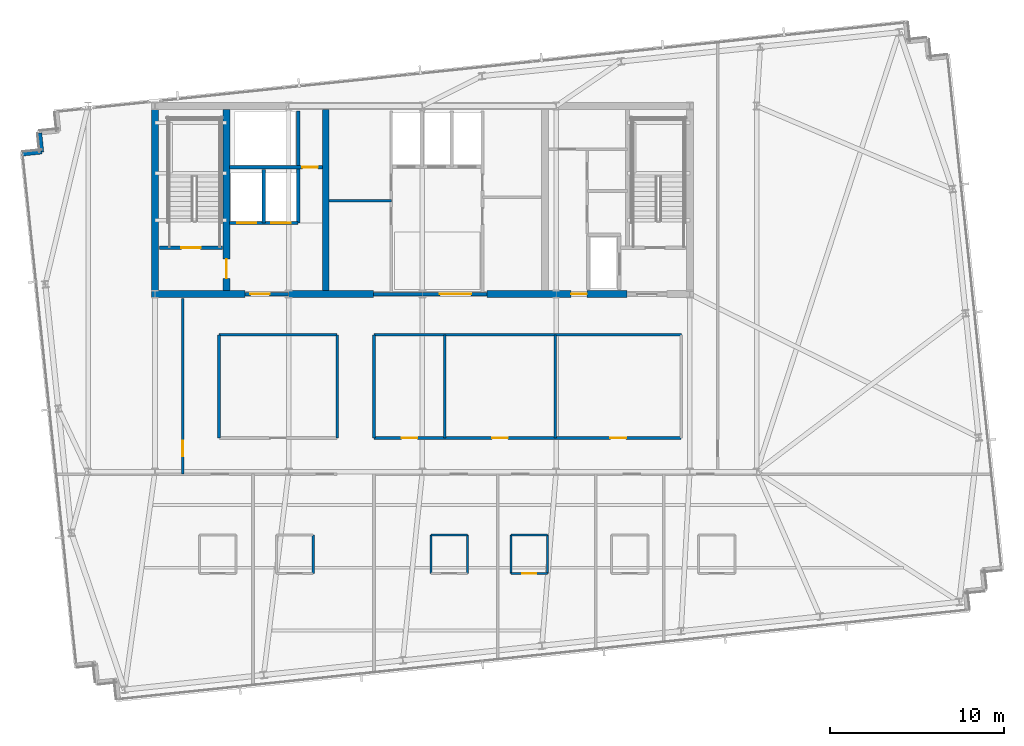
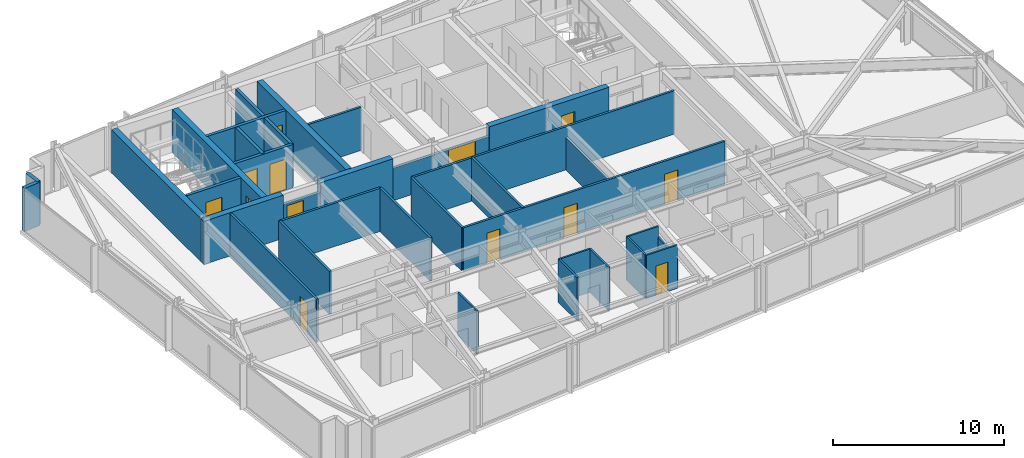
# One storey, part 27 of 33: 33 walls, 13 doors, 13 openings.
"""IFC4 building model written with IfcOpenShell, lengths in metres."""

from ifc_helpers import new_model, si_unit, direction, frame, frame_2d, origin, place, context, subcontext, project, spatial, rectangle, extrude, material, layer, layer_set, type_object, element, fill, save


model = new_model("IFC4")

# Units and contexts
model_context = context("Model", 3, precision=1e-05, world=origin(), true_north=direction((0.0, 1.0)))
body_context = subcontext(model_context, "Body", "Model", "MODEL_VIEW")
ifc_project = project(units=[si_unit("LENGTHUNIT", "METRE"), si_unit("AREAUNIT", "SQUARE_METRE"), si_unit("VOLUMEUNIT", "CUBIC_METRE"), si_unit("PLANEANGLEUNIT", "RADIAN"), si_unit("MASSUNIT", "GRAM", prefix="KILO")], contexts=[model_context])

# Site, building, storey
site_placement = place(None, origin())
site = spatial("IfcSite", under=ifc_project, at=site_placement, CompositionType="ELEMENT")
building_placement = place(site_placement, origin())
building = spatial("IfcBuilding", under=site, at=building_placement, Name="Yelkora Congress Tower", CompositionType="ELEMENT")
storey_placement = place(building_placement, frame((0.0, 0.0, 237.5)))
storey = spatial("IfcBuildingStorey", under=building, at=storey_placement, Name="L66", CompositionType="ELEMENT", Elevation=237.5)

# Walls
ifc_material_1 = material(Name="Concrete C50/60", Category="concrete")
ifc_layer_1 = layer(ifc_material_1, 0.39990234375)
ifc_layer_set_1 = layer_set([ifc_layer_1], Name="Concrete C50/60")
wall_type_1 = type_object("IfcWallType", Name="WALL-CORE-INT-400", PredefinedType="SHEAR", material=ifc_layer_set_1)
wall_1_placement = place(storey_placement, frame((22.840087890625, 35.39990234375, 0.0), z_axis=(0.0, 0.0, 1.0), x_axis=(1.0, 0.0, 0.0)))
element("IfcWall", 1, at=wall_1_placement, inside=storey, type_object=wall_type_1, Name="L66 Rear Core South-West Shear Wall", PredefinedType="SHEAR", context=body_context, shape_type="SweptSolid", body=[
    extrude(rectangle(XDim=5.35986328125, YDim=0.39990234375, at=frame_2d((2.679931640625, 0.0))), origin(), (0.0, 0.0, 1.0), 3.080078125),
])
wall_2_placement = place(storey_placement, frame((30.719970703125, 35.39990234375, 0.0), z_axis=(0.0, 0.0, 1.0), x_axis=(1.0, 0.0, 0.0)))
element("IfcWall", 2, at=wall_2_placement, inside=storey, type_object=wall_type_1, Name="L66 Rear Core South-Center Shear Pier", PredefinedType="SHEAR", context=body_context, shape_type="SweptSolid", body=[
    extrude(rectangle(XDim=4.880126953125, YDim=0.39990234375, at=frame_2d((2.43994140625, 0.0))), origin(), (0.0, 0.0, 1.0), 3.080078125),
])

# Wall, opening, door
wall_3_placement = place(storey_placement, frame((42.10009765625, 35.39990234375, 0.0), z_axis=(0.0, 0.0, 1.0), x_axis=(1.0, 0.0, 0.0)))
wall_3 = element("IfcWall", 3, at=wall_3_placement, inside=storey, type_object=wall_type_1, Name="L66 Rear Core South-East Shear Wall A", PredefinedType="SHEAR", context=body_context, shape_type="SweptSolid", body=[
    extrude(rectangle(XDim=8.0498046875, YDim=0.39990234375, at=frame_2d((4.02490234375, 0.0))), origin(), (0.0, 0.0, 1.0), 3.080078125),
])
opening_1_placement = place(wall_3_placement, frame((4.85009765625, 0.0, 0.0)))
opening_1 = element("IfcOpeningElement", 4, at=opening_1_placement, cuts=wall_3, Name="Opening DR-090F6", PredefinedType="OPENING", context=body_context, shape_type="SweptSolid", body=[
    extrude(rectangle(XDim=0.89990234375, YDim=2.14990234375, at=frame_2d((0.449951171875, 1.074951171875))), frame((0.0, 0.2099609375, 0.0), z_axis=(0.0, -1.0, 0.0), x_axis=(1.0, 0.0, 0.0)), (0.0, 0.0, 1.0), 0.419921875),
])
ifc_material_2 = material(Name="Painted steel riser fire door leaf", Category="steel")
door_type_1 = type_object("IfcDoorType", Name="DOOR-FD60-900", OperationType="NOTDEFINED", PredefinedType="DOOR", material=ifc_material_2)
door_1_placement = place(opening_1_placement, origin())
door_1 = element("IfcDoor", 5, at=door_1_placement, inside=storey, type_object=door_type_1, Name="L66 Core Washroom Lobby Door", OperationType="SINGLE_SWING_RIGHT", OverallHeight=2.14990234375, OverallWidth=0.89990234375, PredefinedType="DOOR", context=body_context, shape_type="SweptSolid", body=[
    extrude(rectangle(XDim=0.89990234375, YDim=2.14990234375, at=frame_2d((0.449951171875, 1.074951171875))), frame((0.0, 0.02490234375, 0.0), z_axis=(0.0, -1.0, 0.0), x_axis=(1.0, 0.0, 0.0)), (0.0, 0.0, 1.0), 0.050048828125),
])
fill(opening_1, door_1)

# Wall
wall_4_placement = place(storey_placement, frame((23.0400390625, 35.60009765625, 0.0), z_axis=(0.0, 0.0, 1.0), x_axis=(0.0, 1.0, 0.0)))
element("IfcWall", 6, at=wall_4_placement, inside=storey, type_object=wall_type_1, Name="L66 Rear Core Cross Shear Wall W", PredefinedType="SHEAR", context=body_context, shape_type="SweptSolid", body=[
    extrude(rectangle(XDim=10.39990234375, YDim=0.39990234375, at=frame_2d((5.199951171875, 0.0))), origin(), (0.0, 0.0, 1.0), 3.080078125),
])

# Wall, opening, door
wall_5_placement = place(storey_placement, frame((27.14990234375, 35.60009765625, 0.0), z_axis=(0.0, 0.0, 1.0), x_axis=(0.0, 1.0, 0.0)))
wall_5 = element("IfcWall", 7, at=wall_5_placement, inside=storey, type_object=wall_type_1, Name="L66 Rear Core Cross Shear Wall C1", PredefinedType="SHEAR", context=body_context, shape_type="SweptSolid", body=[
    extrude(rectangle(XDim=10.39990234375, YDim=0.39990234375, at=frame_2d((5.199951171875, 0.0))), origin(), (0.0, 0.0, 1.0), 3.080078125),
])
opening_2_placement = place(wall_5_placement, frame((0.699951171875, 0.0, 0.0)))
opening_2 = element("IfcOpeningElement", 8, at=opening_2_placement, cuts=wall_5, Name="Opening DR-110F9", PredefinedType="OPENING", context=body_context, shape_type="SweptSolid", body=[
    extrude(rectangle(XDim=1.10009765625, YDim=2.14990234375, at=frame_2d((0.550048828125, 1.074951171875))), frame((0.0, 0.2099609375, 0.0), z_axis=(0.0, -1.0, 0.0), x_axis=(1.0, 0.0, 0.0)), (0.0, 0.0, 1.0), 0.419921875),
])
ifc_material_3 = material(Name="Galvanised steel fire door leaf", Category="steel")
door_type_2 = type_object("IfcDoorType", Name="DOOR-FD90-1100", OperationType="NOTDEFINED", PredefinedType="DOOR", material=ifc_material_3)
door_2_placement = place(opening_2_placement, origin())
door_2 = element("IfcDoor", 9, at=door_2_placement, inside=storey, type_object=door_type_2, Name="L66 Firefighting Stair Transfer Door", OperationType="SINGLE_SWING_LEFT", OverallHeight=2.14990234375, OverallWidth=1.10009765625, PredefinedType="DOOR", context=body_context, shape_type="SweptSolid", body=[
    extrude(rectangle(XDim=1.10009765625, YDim=2.14990234375, at=frame_2d((0.550048828125, 1.074951171875))), frame((0.0, 0.02490234375, 0.0), z_axis=(0.0, -1.0, 0.0), x_axis=(1.0, 0.0, 0.0)), (0.0, 0.0, 1.0), 0.050048828125),
])
fill(opening_2, door_2)

# Walls
wall_6_placement = place(storey_placement, frame((32.85009765625, 35.60009765625, 0.0), z_axis=(0.0, 0.0, 1.0), x_axis=(0.0, 1.0, 0.0)))
element("IfcWall", 10, at=wall_6_placement, inside=storey, type_object=wall_type_1, Name="L66 Rear Core Cross Shear Wall C2", PredefinedType="SHEAR", context=body_context, shape_type="SweptSolid", body=[
    extrude(rectangle(XDim=10.39990234375, YDim=0.39990234375, at=frame_2d((5.199951171875, 0.0))), origin(), (0.0, 0.0, 1.0), 3.080078125),
])
ifc_material_4 = material(Name="Concrete C40/50", Category="concrete")
ifc_layer_2 = layer(ifc_material_4, 0.239990234375)
ifc_layer_set_2 = layer_set([ifc_layer_2], Name="Concrete C40/50")
wall_type_2 = type_object("IfcWallType", Name="WALL-EXT-LIMESTONE-240", PredefinedType="SOLIDWALL", material=ifc_layer_set_2)
wall_7_placement = place(storey_placement, frame((15.441162109375, 43.444580078125, 0.0), z_axis=(0.0, 0.0, 1.0), x_axis=(0.994495717747, 0.104777227405, 0.0)))
element("IfcWall", 11, at=wall_7_placement, inside=storey, type_object=wall_type_2, Name="L66 Serrated Corner Limestone Pier 6", PredefinedType="SOLIDWALL", context=body_context, shape_type="SweptSolid", body=[
    extrude(rectangle(XDim=1.099853515625, YDim=0.239990234375, at=frame_2d((0.5498046875, 0.0))), origin(), (0.0, 0.0, 1.0), 3.080078125),
])
wall_8_placement = place(storey_placement, frame((16.534912109375, 43.559814453125, 0.0), z_axis=(0.0, 0.0, 1.0), x_axis=(-0.104315068386, 0.994544300928, 0.0)))
element("IfcWall", 12, at=wall_8_placement, inside=storey, type_object=wall_type_2, Name="L66 Serrated Corner Limestone Pier 7", PredefinedType="SOLIDWALL", context=body_context, shape_type="SweptSolid", body=[
    extrude(rectangle(XDim=1.10009765625, YDim=0.239990234375, at=frame_2d((0.550048828125, 0.0))), origin(), (0.0, 0.0, 1.0), 3.080078125),
])
ifc_material_5 = material(Name="Moisture-resistant gypsum partition", Category="gypsum")
ifc_layer_3 = layer(ifc_material_5, 0.1201171875)
ifc_layer_set_3 = layer_set([ifc_layer_3], Name="Moisture-resistant gypsum partition")
wall_type_3 = type_object("IfcWallType", Name="WALL-INT-120-NR", PredefinedType="PARTITIONING", material=ifc_layer_set_3)
wall_9_placement = place(storey_placement, frame((32.1298828125, 19.35009765625, 0.0), z_axis=(0.0, 0.0, 1.0), x_axis=(0.0, 1.0, 0.0)))
element("IfcWall", 13, at=wall_9_placement, inside=storey, type_object=wall_type_3, Name="L66 Partition Wall 29", PredefinedType="PARTITIONING", context=body_context, shape_type="SweptSolid", body=[
    extrude(rectangle(XDim=2.199951171875, YDim=0.1201171875, at=frame_2d((1.10009765625, 0.0))), origin(), (0.0, 0.0, 1.0), 3.080078125),
])
wall_10_placement = place(storey_placement, frame((38.89990234375, 21.550048828125, 0.0), z_axis=(0.0, 0.0, 1.0), x_axis=(1.0, 0.0, 0.0)))
element("IfcWall", 14, at=wall_10_placement, inside=storey, type_object=wall_type_3, Name="L66 Partition Wall 32", PredefinedType="PARTITIONING", context=body_context, shape_type="SweptSolid", body=[
    extrude(rectangle(XDim=2.10009765625, YDim=0.1201171875, at=frame_2d((1.050048828125, 0.0))), origin(), (0.0, 0.0, 1.0), 3.080078125),
])
for number, where, z_axis, x_axis, name in (
    (15, (38.89990234375, 19.35009765625, 0.0), (0.0, 0.0, 1.0), (0.0, 1.0, 0.0), "L66 Partition Wall 33"),
    (16, (41.0, 19.35009765625, 0.0), (0.0, 0.0, 1.0), (0.0, 1.0, 0.0), "L66 Partition Wall 34"),
):
    element("IfcWall", number, at=place(storey_placement, frame(where, z_axis=z_axis, x_axis=x_axis)), inside=storey, type_object=wall_type_3, Name=name, PredefinedType="PARTITIONING", context=body_context, shape_type="SweptSolid", body=[
        extrude(rectangle(XDim=2.199951171875, YDim=0.1201171875, at=frame_2d((1.10009765625, 0.0))), origin(), (0.0, 0.0, 1.0), 3.080078125),
    ])
wall_11_placement = place(storey_placement, frame((43.47998046875, 21.550048828125, 0.0), z_axis=(0.0, 0.0, 1.0), x_axis=(1.0, 0.0, 0.0)))
element("IfcWall", 17, at=wall_11_placement, inside=storey, type_object=wall_type_3, Name="L66 Partition Wall 37", PredefinedType="PARTITIONING", context=body_context, shape_type="SweptSolid", body=[
    extrude(rectangle(XDim=2.10009765625, YDim=0.1201171875, at=frame_2d((1.050048828125, 0.0))), origin(), (0.0, 0.0, 1.0), 3.080078125),
])
wall_12_placement = place(storey_placement, frame((43.47998046875, 19.35009765625, 0.0), z_axis=(0.0, 0.0, 1.0), x_axis=(0.0, 1.0, 0.0)))
element("IfcWall", 18, at=wall_12_placement, inside=storey, type_object=wall_type_3, Name="L66 Partition Wall 38", PredefinedType="PARTITIONING", context=body_context, shape_type="SweptSolid", body=[
    extrude(rectangle(XDim=2.199951171875, YDim=0.1201171875, at=frame_2d((1.10009765625, 0.0))), origin(), (0.0, 0.0, 1.0), 3.080078125),
])
wall_13_placement = place(storey_placement, frame((45.580078125, 19.35009765625, 0.0), z_axis=(0.0, 0.0, 1.0), x_axis=(0.0, 1.0, 0.0)))
element("IfcWall", 19, at=wall_13_placement, inside=storey, type_object=wall_type_3, Name="L66 Partition Wall 39", PredefinedType="PARTITIONING", context=body_context, shape_type="SweptSolid", body=[
    extrude(rectangle(XDim=2.199951171875, YDim=0.1201171875, at=frame_2d((1.10009765625, 0.0))), origin(), (0.0, 0.0, 1.0), 2.31298828125),
])

# Wall, opening, door
wall_14_placement = place(storey_placement, frame((43.47998046875, 19.35009765625, 0.0), z_axis=(0.0, 0.0, 1.0), x_axis=(1.0, 0.0, 0.0)))
wall_14 = element("IfcWall", 20, at=wall_14_placement, inside=storey, type_object=wall_type_3, Name="L66 Partition Wall 40", PredefinedType="PARTITIONING", context=body_context, shape_type="SweptSolid", body=[
    extrude(rectangle(XDim=2.10009765625, YDim=0.1201171875, at=frame_2d((1.050048828125, 0.0))), origin(), (0.0, 0.0, 1.0), 3.080078125),
])
opening_3_placement = place(wall_14_placement, frame((0.64990234375, 0.0, 0.0)))
opening_3 = element("IfcOpeningElement", 21, at=opening_3_placement, cuts=wall_14, Name="Opening DR-080B", PredefinedType="OPENING", context=body_context, shape_type="SweptSolid", body=[
    extrude(rectangle(XDim=0.800048828125, YDim=2.10009765625, at=frame_2d((0.39990234375, 1.050048828125))), frame((0.0, 0.070068359375, 0.0), z_axis=(0.0, -1.0, 0.0), x_axis=(1.0, 0.0, 0.0)), (0.0, 0.0, 1.0), 0.14013671875),
])
ifc_material_6 = material(Name="Moisture-sealed en-suite timber door", Category="wood")
door_type_3 = type_object("IfcDoorType", Name="DOOR-BATH-800", OperationType="NOTDEFINED", PredefinedType="DOOR", material=ifc_material_6)
door_3_placement = place(opening_3_placement, origin())
door_3 = element("IfcDoor", 22, at=door_3_placement, inside=storey, type_object=door_type_3, Name="L66 En-suite Door 5", OperationType="SINGLE_SWING_LEFT", OverallHeight=2.10009765625, OverallWidth=0.800048828125, PredefinedType="DOOR", context=body_context, shape_type="SweptSolid", body=[
    extrude(rectangle(XDim=0.800048828125, YDim=2.10009765625, at=frame_2d((0.39990234375, 1.050048828125))), frame((0.0, 0.02490234375, 0.0), z_axis=(0.0, -1.0, 0.0), x_axis=(1.0, 0.0, 0.0)), (0.0, 0.0, 1.0), 0.050048828125),
])
fill(opening_3, door_3)

ifc_material_7 = material(Name="Acoustic metal-stud gypsum partition", Category="gypsum")
ifc_layer_4 = layer(ifc_material_7, 0.14990234375)
ifc_layer_set_4 = layer_set([ifc_layer_4], Name="Acoustic metal-stud gypsum partition")
wall_type_4 = type_object("IfcWallType", Name="WALL-INT-150-NR", PredefinedType="PARTITIONING", material=ifc_layer_set_4)
wall_15_placement = place(storey_placement, frame((24.639892578125, 25.050048828125, 0.0), z_axis=(0.0, 0.0, 1.0), x_axis=(0.0, 1.0, 0.0)))
wall_15 = element("IfcWall", 23, at=wall_15_placement, inside=storey, type_object=wall_type_4, Name="L66 Partition Wall 54", PredefinedType="PARTITIONING", context=body_context, shape_type="SweptSolid", body=[
    extrude(rectangle(XDim=10.08984375, YDim=0.14990234375, at=frame_2d((5.044921875, 0.0))), origin(), (0.0, 0.0, 1.0), 3.080078125),
])
opening_4_placement = place(wall_15_placement, frame((1.030029296875, 0.0, 0.0)))
opening_4 = element("IfcOpeningElement", 24, at=opening_4_placement, cuts=wall_15, Name="Opening DR-090N", PredefinedType="OPENING", context=body_context, shape_type="SweptSolid", body=[
    extrude(rectangle(XDim=0.89990234375, YDim=2.14990234375, at=frame_2d((0.449951171875, 1.074951171875))), frame((0.0, 0.0849609375, 0.0), z_axis=(0.0, -1.0, 0.0), x_axis=(1.0, 0.0, 0.0)), (0.0, 0.0, 1.0), 0.169921875),
])
ifc_material_8 = material(Name="Moisture-resistant laminate door leaf", Category="wood")
door_type_4 = type_object("IfcDoorType", Name="DOOR-INT-900", OperationType="NOTDEFINED", PredefinedType="DOOR", material=ifc_material_8)
door_4_placement = place(opening_4_placement, origin())
door_4 = element("IfcDoor", 25, at=door_4_placement, inside=storey, type_object=door_type_4, Name="L66 W Wing Door", OperationType="SINGLE_SWING_RIGHT", OverallHeight=2.14990234375, OverallWidth=0.89990234375, PredefinedType="DOOR", context=body_context, shape_type="SweptSolid", body=[
    extrude(rectangle(XDim=0.89990234375, YDim=2.14990234375, at=frame_2d((0.449951171875, 1.074951171875))), frame((0.0, 0.02490234375, 0.0), z_axis=(0.0, -1.0, 0.0), x_axis=(1.0, 0.0, 0.0)), (0.0, 0.0, 1.0), 0.050048828125),
])
fill(opening_4, door_4)

# Walls
for number, where, z_axis, x_axis, name in (
    (26, (26.719970703125, 27.1298828125, 0.0), (0.0, 0.0, 1.0), (0.0, 1.0, 0.0), "L66 Partition Wall 56"),
    (27, (33.5, 27.1298828125, 0.0), (0.0, 0.0, 1.0), (0.0, 1.0, 0.0), "L66 Partition Wall 58"),
    (28, (35.6201171875, 27.1298828125, 0.0), (0.0, 0.0, 1.0), (0.0, 1.0, 0.0), "L66 Partition Wall 59"),
):
    element("IfcWall", number, at=place(storey_placement, frame(where, z_axis=z_axis, x_axis=x_axis)), inside=storey, type_object=wall_type_4, Name=name, PredefinedType="PARTITIONING", context=body_context, shape_type="SweptSolid", body=[
        extrude(rectangle(XDim=5.920166015625, YDim=0.14990234375, at=frame_2d((2.9599609375, 0.0))), origin(), (0.0, 0.0, 1.0), 3.080078125),
    ])
wall_16_placement = place(storey_placement, frame((26.719970703125, 33.050048828125, 0.0), z_axis=(0.0, 0.0, 1.0), x_axis=(1.0, 0.0, 0.0)))
element("IfcWall", 29, at=wall_16_placement, inside=storey, type_object=wall_type_4, Name="L66 Partition Wall 60", PredefinedType="PARTITIONING", context=body_context, shape_type="SweptSolid", body=[
    extrude(rectangle(XDim=6.780029296875, YDim=0.14990234375, at=frame_2d((3.39013671875, 0.0))), origin(), (0.0, 0.0, 1.0), 3.080078125),
])
wall_17_placement = place(storey_placement, frame((35.6201171875, 33.050048828125, 0.0), z_axis=(0.0, 0.0, 1.0), x_axis=(1.0, 0.0, 0.0)))
element("IfcWall", 30, at=wall_17_placement, inside=storey, type_object=wall_type_4, Name="L66 Partition Wall 61", PredefinedType="PARTITIONING", context=body_context, shape_type="SweptSolid", body=[
    extrude(rectangle(XDim=17.659912109375, YDim=0.14990234375, at=frame_2d((8.830078125, 0.0))), origin(), (0.0, 0.0, 1.0), 3.080078125),
])
wall_18_placement = place(storey_placement, frame((39.68505859375, 27.1298828125, 0.0), z_axis=(0.0, 0.0, 1.0), x_axis=(0.0, 1.0, 0.0)))
element("IfcWall", 31, at=wall_18_placement, inside=storey, type_object=wall_type_4, Name="L66 Partition Wall 63", PredefinedType="PARTITIONING", context=body_context, shape_type="SweptSolid", body=[
    extrude(rectangle(XDim=5.920166015625, YDim=0.14990234375, at=frame_2d((2.9599609375, 0.0))), origin(), (0.0, 0.0, 1.0), 3.080078125),
])
wall_19_placement = place(storey_placement, frame((46.031982421875, 27.1298828125, 0.0), z_axis=(0.0, 0.0, 1.0), x_axis=(0.0, 1.0, 0.0)))
element("IfcWall", 32, at=wall_19_placement, inside=storey, type_object=wall_type_4, Name="L66 Partition Wall 64", PredefinedType="PARTITIONING", context=body_context, shape_type="SweptSolid", body=[
    extrude(rectangle(XDim=5.920166015625, YDim=0.14990234375, at=frame_2d((2.9599609375, 0.0))), origin(), (0.0, 0.0, 1.0), 2.31298828125),
])

# Wall, openings, doors
wall_20_placement = place(storey_placement, frame((35.6298828125, 27.1298828125, 0.0), z_axis=(0.0, 0.0, 1.0), x_axis=(1.0, 0.0, 0.0)))
wall_20 = element("IfcWall", 33, at=wall_20_placement, inside=storey, type_object=wall_type_4, Name="L66 Partition Wall 65", PredefinedType="PARTITIONING", context=body_context, shape_type="SweptSolid", body=[
    extrude(rectangle(XDim=17.630126953125, YDim=0.14990234375, at=frame_2d((8.81494140625, 0.0))), origin(), (0.0, 0.0, 1.0), 3.080078125),
])
opening_5_placement = place(wall_20_placement, frame((1.577392578125, 0.0, 0.0)))
opening_5 = element("IfcOpeningElement", 34, at=opening_5_placement, cuts=wall_20, Name="Opening DR-090N", PredefinedType="OPENING", context=body_context, shape_type="SweptSolid", body=[
    extrude(rectangle(XDim=0.89990234375, YDim=2.14990234375, at=frame_2d((0.449951171875, 1.074951171875))), frame((0.0, 0.0849609375, 0.0), z_axis=(0.0, -1.0, 0.0), x_axis=(1.0, 0.0, 0.0)), (0.0, 0.0, 1.0), 0.169921875),
])
opening_6_placement = place(wall_20_placement, frame((6.778564453125, 0.0, 0.0)))
opening_6 = element("IfcOpeningElement", 35, at=opening_6_placement, cuts=wall_20, Name="Opening DR-090N", PredefinedType="OPENING", context=body_context, shape_type="SweptSolid", body=[
    extrude(rectangle(XDim=0.89990234375, YDim=2.14990234375, at=frame_2d((0.449951171875, 1.074951171875))), frame((0.0, 0.0849609375, 0.0), z_axis=(0.0, -1.0, 0.0), x_axis=(1.0, 0.0, 0.0)), (0.0, 0.0, 1.0), 0.169921875),
])
opening_7_placement = place(wall_20_placement, frame((13.56591796875, 0.0, 0.0)))
opening_7 = element("IfcOpeningElement", 36, at=opening_7_placement, cuts=wall_20, Name="Opening DR-090N", PredefinedType="OPENING", context=body_context, shape_type="SweptSolid", body=[
    extrude(rectangle(XDim=0.89990234375, YDim=2.14990234375, at=frame_2d((0.449951171875, 1.074951171875))), frame((0.0, 0.0849609375, 0.0), z_axis=(0.0, -1.0, 0.0), x_axis=(1.0, 0.0, 0.0)), (0.0, 0.0, 1.0), 0.169921875),
])
door_5_placement = place(opening_5_placement, origin())
door_5 = element("IfcDoor", 37, at=door_5_placement, inside=storey, type_object=door_type_4, Name="L66 Executive Study Office Door", OperationType="SINGLE_SWING_LEFT", OverallHeight=2.14990234375, OverallWidth=0.89990234375, PredefinedType="DOOR", context=body_context, shape_type="SweptSolid", body=[
    extrude(rectangle(XDim=0.89990234375, YDim=2.14990234375, at=frame_2d((0.449951171875, 1.074951171875))), frame((0.0, 0.02490234375, 0.0), z_axis=(0.0, -1.0, 0.0), x_axis=(1.0, 0.0, 0.0)), (0.0, 0.0, 1.0), 0.050048828125),
])
fill(opening_5, door_5)
door_6_placement = place(opening_6_placement, origin())
door_6 = element("IfcDoor", 38, at=door_6_placement, inside=storey, type_object=door_type_4, Name="L66 Delegate Reading Lounge Door", OperationType="SINGLE_SWING_RIGHT", OverallHeight=2.14990234375, OverallWidth=0.89990234375, PredefinedType="DOOR", context=body_context, shape_type="SweptSolid", body=[
    extrude(rectangle(XDim=0.89990234375, YDim=2.14990234375, at=frame_2d((0.449951171875, 1.074951171875))), frame((0.0, 0.02490234375, 0.0), z_axis=(0.0, -1.0, 0.0), x_axis=(1.0, 0.0, 0.0)), (0.0, 0.0, 1.0), 0.050048828125),
])
fill(opening_6, door_6)
door_7_placement = place(opening_7_placement, origin())
door_7 = element("IfcDoor", 39, at=door_7_placement, inside=storey, type_object=door_type_4, Name="L66 Seminar Briefing Room Door", OperationType="SINGLE_SWING_LEFT", OverallHeight=2.14990234375, OverallWidth=0.89990234375, PredefinedType="DOOR", context=body_context, shape_type="SweptSolid", body=[
    extrude(rectangle(XDim=0.89990234375, YDim=2.14990234375, at=frame_2d((0.449951171875, 1.074951171875))), frame((0.0, 0.02490234375, 0.0), z_axis=(0.0, -1.0, 0.0), x_axis=(1.0, 0.0, 0.0)), (0.0, 0.0, 1.0), 0.050048828125),
])
fill(opening_7, door_7)

# Wall
ifc_material_9 = material(Name="Twin-stud fire-rated gypsum partition", Category="gypsum")
ifc_layer_5 = layer(ifc_material_9, 0.14990234375)
ifc_layer_set_5 = layer_set([ifc_layer_5], Name="Twin-stud fire-rated gypsum partition")
wall_type_5 = type_object("IfcWallType", Name="WALL-INT-150-R60", PredefinedType="PARTITIONING", material=ifc_layer_set_5)
wall_21_placement = place(storey_placement, frame((33.050048828125, 40.75, 0.0), z_axis=(0.0, 0.0, 1.0), x_axis=(1.0, 0.0, 0.0)))
element("IfcWall", 40, at=wall_21_placement, inside=storey, type_object=wall_type_5, Name="L66 Partition Wall 11", PredefinedType="PARTITIONING", context=body_context, shape_type="SweptSolid", body=[
    extrude(rectangle(XDim=3.570068359375, YDim=0.14990234375, at=frame_2d((1.78515625, 0.0))), origin(), (0.0, 0.0, 1.0), 3.080078125),
])

# Wall, opening, door
ifc_material_10 = material(Name="Autoclaved aerated concrete blockwork", Category="masonry")
ifc_layer_6 = layer(ifc_material_10, 0.199951171875)
ifc_layer_set_6 = layer_set([ifc_layer_6], Name="Autoclaved aerated concrete blockwork")
wall_type_6 = type_object("IfcWallType", Name="WALL-INT-200-R120", PredefinedType="PARTITIONING", material=ifc_layer_set_6)
wall_22_placement = place(storey_placement, frame((23.300048828125, 38.050048828125, 0.0), z_axis=(0.0, 0.0, 1.0), x_axis=(1.0, 0.0, 0.0)))
wall_22 = element("IfcWall", 41, at=wall_22_placement, inside=storey, type_object=wall_type_6, Name="L66 Stair ST-01 Enclosure Wall", PredefinedType="PARTITIONING", context=body_context, shape_type="SweptSolid", body=[
    extrude(rectangle(XDim=3.619873046875, YDim=0.199951171875, at=frame_2d((1.81005859375, 0.0))), origin(), (0.0, 0.0, 1.0), 3.080078125),
])
opening_8_placement = place(wall_22_placement, frame((1.260009765625, 0.0, 0.0)))
opening_8 = element("IfcOpeningElement", 42, at=opening_8_placement, cuts=wall_22, Name="Opening DR-110F9", PredefinedType="OPENING", context=body_context, shape_type="SweptSolid", body=[
    extrude(rectangle(XDim=1.10009765625, YDim=2.14990234375, at=frame_2d((0.550048828125, 1.074951171875))), frame((0.0, 0.10986328125, 0.0), z_axis=(0.0, -1.0, 0.0), x_axis=(1.0, 0.0, 0.0)), (0.0, 0.0, 1.0), 0.219970703125),
])
door_8_placement = place(opening_8_placement, origin())
door_8 = element("IfcDoor", 43, at=door_8_placement, inside=storey, type_object=door_type_2, Name="L66 Stair ST-01 Entry Door", OperationType="SINGLE_SWING_LEFT", OverallHeight=2.14990234375, OverallWidth=1.10009765625, PredefinedType="DOOR", context=body_context, shape_type="SweptSolid", body=[
    extrude(rectangle(XDim=1.10009765625, YDim=2.14990234375, at=frame_2d((0.550048828125, 1.074951171875))), frame((0.0, 0.02490234375, 0.0), z_axis=(0.0, -1.0, 0.0), x_axis=(1.0, 0.0, 0.0)), (0.0, 0.0, 1.0), 0.050048828125),
])
fill(opening_8, door_8)

wall_23_placement = place(storey_placement, frame((28.219970703125, 35.39990234375, 0.0), z_axis=(0.0, 0.0, 1.0), x_axis=(1.0, 0.0, 0.0)))
wall_23 = element("IfcWall", 44, at=wall_23_placement, inside=storey, type_object=wall_type_6, Name="L66 Firefighting Lobby South Wall", PredefinedType="PARTITIONING", context=body_context, shape_type="SweptSolid", body=[
    extrude(rectangle(XDim=2.5, YDim=0.199951171875, at=frame_2d((1.25, 0.0))), origin(), (0.0, 0.0, 1.0), 2.31298828125),
])
opening_9_placement = place(wall_23_placement, frame((0.300048828125, 0.0, 0.0)))
opening_9 = element("IfcOpeningElement", 45, at=opening_9_placement, cuts=wall_23, Name="Opening DR-110F9", PredefinedType="OPENING", context=body_context, shape_type="SweptSolid", body=[
    extrude(rectangle(XDim=1.10009765625, YDim=2.14990234375, at=frame_2d((0.550048828125, 1.074951171875))), frame((0.0, 0.10986328125, 0.0), z_axis=(0.0, -1.0, 0.0), x_axis=(1.0, 0.0, 0.0)), (0.0, 0.0, 1.0), 0.219970703125),
])
door_9_placement = place(opening_9_placement, origin())
door_9 = element("IfcDoor", 46, at=door_9_placement, inside=storey, type_object=door_type_2, Name="L66 Firefighting Lobby Corridor Door", OperationType="SINGLE_SWING_RIGHT", OverallHeight=2.14990234375, OverallWidth=1.10009765625, PredefinedType="DOOR", context=body_context, shape_type="SweptSolid", body=[
    extrude(rectangle(XDim=1.10009765625, YDim=2.14990234375, at=frame_2d((0.550048828125, 1.074951171875))), frame((0.0, 0.02490234375, 0.0), z_axis=(0.0, -1.0, 0.0), x_axis=(1.0, 0.0, 0.0)), (0.0, 0.0, 1.0), 0.050048828125),
])
fill(opening_9, door_9)

# Wall, openings, doors
wall_24_placement = place(storey_placement, frame((27.320068359375, 39.47998046875, 0.0), z_axis=(0.0, 0.0, 1.0), x_axis=(1.0, 0.0, 0.0)))
wall_24 = element("IfcWall", 47, at=wall_24_placement, inside=storey, type_object=wall_type_6, Name="L66 Firefighting Lift Front Wall", PredefinedType="PARTITIONING", context=body_context, shape_type="SweptSolid", body=[
    extrude(rectangle(XDim=3.93994140625, YDim=0.199951171875, at=frame_2d((1.969970703125, 0.0))), origin(), (0.0, 0.0, 1.0), 3.080078125),
])
opening_10_placement = place(wall_24_placement, frame((0.449951171875, 0.0, 0.0)))
opening_10 = element("IfcOpeningElement", 48, at=opening_10_placement, cuts=wall_24, Name="Opening LD-FF11", PredefinedType="OPENING", context=body_context, shape_type="SweptSolid", body=[
    extrude(rectangle(XDim=1.10009765625, YDim=2.199951171875, at=frame_2d((0.550048828125, 1.10009765625))), frame((0.0, 0.10986328125, 0.0), z_axis=(0.0, -1.0, 0.0), x_axis=(1.0, 0.0, 0.0)), (0.0, 0.0, 1.0), 0.219970703125),
])
opening_11_placement = place(wall_24_placement, frame((2.409912109375, 0.0, 0.0)))
opening_11 = element("IfcOpeningElement", 49, at=opening_11_placement, cuts=wall_24, Name="Opening LD-FF11", PredefinedType="OPENING", context=body_context, shape_type="SweptSolid", body=[
    extrude(rectangle(XDim=1.10009765625, YDim=2.199951171875, at=frame_2d((0.550048828125, 1.10009765625))), frame((0.0, 0.10986328125, 0.0), z_axis=(0.0, -1.0, 0.0), x_axis=(1.0, 0.0, 0.0)), (0.0, 0.0, 1.0), 0.219970703125),
])
ifc_material_11 = material(Name="Brushed stainless steel 316L landing door", Category="steel")
door_type_5 = type_object("IfcDoorType", Name="DOOR-LIFT-FF-1100", OperationType="DOUBLE_DOOR_SLIDING", PredefinedType="DOOR", material=ifc_material_11)
door_10_placement = place(opening_10_placement, origin())
door_10 = element("IfcDoor", 50, at=door_10_placement, inside=storey, type_object=door_type_5, Name="Lift Landing Door LF-FF1 L66", OperationType="DOUBLE_DOOR_SLIDING", OverallHeight=2.199951171875, OverallWidth=1.10009765625, PredefinedType="DOOR", context=body_context, shape_type="SweptSolid", body=[
    extrude(rectangle(XDim=1.10009765625, YDim=2.199951171875, at=frame_2d((0.550048828125, 1.10009765625))), frame((0.0, 0.02490234375, 0.0), z_axis=(0.0, -1.0, 0.0), x_axis=(1.0, 0.0, 0.0)), (0.0, 0.0, 1.0), 0.050048828125),
])
fill(opening_10, door_10)
door_11_placement = place(opening_11_placement, origin())
door_11 = element("IfcDoor", 51, at=door_11_placement, inside=storey, type_object=door_type_5, Name="Lift Landing Door LF-FF2 L66", OperationType="DOUBLE_DOOR_SLIDING", OverallHeight=2.199951171875, OverallWidth=1.10009765625, PredefinedType="DOOR", context=body_context, shape_type="SweptSolid", body=[
    extrude(rectangle(XDim=1.10009765625, YDim=2.199951171875, at=frame_2d((0.550048828125, 1.10009765625))), frame((0.0, 0.02490234375, 0.0), z_axis=(0.0, -1.0, 0.0), x_axis=(1.0, 0.0, 0.0)), (0.0, 0.0, 1.0), 0.050048828125),
])
fill(opening_11, door_11)

# Walls
wall_25_placement = place(storey_placement, frame((29.300048828125, 39.47998046875, 0.0), z_axis=(0.0, 0.0, 1.0), x_axis=(0.0, 1.0, 0.0)))
element("IfcWall", 52, at=wall_25_placement, inside=storey, type_object=wall_type_6, Name="L66 Partition Wall 4", PredefinedType="PARTITIONING", context=body_context, shape_type="SweptSolid", body=[
    extrude(rectangle(XDim=3.070068359375, YDim=0.199951171875, at=frame_2d((1.53515625, 0.0))), origin(), (0.0, 0.0, 1.0), 3.080078125),
])
wall_26_placement = place(storey_placement, frame((31.260009765625, 39.47998046875, 0.0), z_axis=(0.0, 0.0, 1.0), x_axis=(0.0, 1.0, 0.0)))
element("IfcWall", 53, at=wall_26_placement, inside=storey, type_object=wall_type_6, Name="L66 Partition Wall 5", PredefinedType="PARTITIONING", context=body_context, shape_type="SweptSolid", body=[
    extrude(rectangle(XDim=6.43994140625, YDim=0.199951171875, at=frame_2d((3.219970703125, 0.0))), origin(), (0.0, 0.0, 1.0), 3.080078125),
])

# Wall, opening, door
wall_27_placement = place(storey_placement, frame((27.320068359375, 42.679931640625, 0.0), z_axis=(0.0, 0.0, 1.0), x_axis=(1.0, 0.0, 0.0)))
wall_27 = element("IfcWall", 54, at=wall_27_placement, inside=storey, type_object=wall_type_6, Name="L66 Smoke Riser South Wall", PredefinedType="PARTITIONING", context=body_context, shape_type="SweptSolid", body=[
    extrude(rectangle(XDim=5.329833984375, YDim=0.199951171875, at=frame_2d((2.6650390625, 0.0))), origin(), (0.0, 0.0, 1.0), 3.080078125),
])
opening_12_placement = place(wall_27_placement, frame((4.179931640625, 0.0, 0.0)))
opening_12 = element("IfcOpeningElement", 55, at=opening_12_placement, cuts=wall_27, Name="Opening DR-090F6", PredefinedType="OPENING", context=body_context, shape_type="SweptSolid", body=[
    extrude(rectangle(XDim=0.89990234375, YDim=2.14990234375, at=frame_2d((0.449951171875, 1.074951171875))), frame((0.0, 0.10986328125, 0.0), z_axis=(0.0, -1.0, 0.0), x_axis=(1.0, 0.0, 0.0)), (0.0, 0.0, 1.0), 0.219970703125),
])
door_12_placement = place(opening_12_placement, origin())
door_12 = element("IfcDoor", 56, at=door_12_placement, inside=storey, type_object=door_type_1, Name="L66 Riser Access Door", OperationType="SINGLE_SWING_LEFT", OverallHeight=2.14990234375, OverallWidth=0.89990234375, PredefinedType="DOOR", context=body_context, shape_type="SweptSolid", body=[
    extrude(rectangle(XDim=0.89990234375, YDim=2.14990234375, at=frame_2d((0.449951171875, 1.074951171875))), frame((0.0, 0.02490234375, 0.0), z_axis=(0.0, -1.0, 0.0), x_axis=(1.0, 0.0, 0.0)), (0.0, 0.0, 1.0), 0.050048828125),
])
fill(opening_12, door_12)

wall_28_placement = place(storey_placement, frame((35.60009765625, 35.39990234375, 0.0), z_axis=(0.0, 0.0, 1.0), x_axis=(1.0, 0.0, 0.0)))
wall_28 = element("IfcWall", 57, at=wall_28_placement, inside=storey, type_object=wall_type_6, Name="L66 Main Lift Lobby South Portal Wall", PredefinedType="PARTITIONING", context=body_context, shape_type="SweptSolid", body=[
    extrude(rectangle(XDim=6.5, YDim=0.199951171875, at=frame_2d((3.25, 0.0))), origin(), (0.0, 0.0, 1.0), 2.31298828125),
])
opening_13_placement = place(wall_28_placement, frame((3.800048828125, 0.0, 0.0)))
opening_13 = element("IfcOpeningElement", 58, at=opening_13_placement, cuts=wall_28, Name="Opening DR-180D", PredefinedType="OPENING", context=body_context, shape_type="SweptSolid", body=[
    extrude(rectangle(XDim=1.800048828125, YDim=2.300048828125, at=frame_2d((0.89990234375, 1.14990234375))), frame((0.0, 0.10986328125, 0.0), z_axis=(0.0, -1.0, 0.0), x_axis=(1.0, 0.0, 0.0)), (0.0, 0.0, 1.0), 0.219970703125),
])
ifc_material_12 = material(Name="Acoustic double congress hall doors", Category="wood")
door_type_6 = type_object("IfcDoorType", Name="DOOR-DBL-1800", OperationType="DOUBLE_DOOR_SINGLE_SWING", PredefinedType="DOOR", material=ifc_material_12)
door_13_placement = place(opening_13_placement, origin())
door_13 = element("IfcDoor", 59, at=door_13_placement, inside=storey, type_object=door_type_6, Name="L66 Main Lift Lobby Portal Door", OperationType="DOUBLE_DOOR_SINGLE_SWING", OverallHeight=2.300048828125, OverallWidth=1.800048828125, PredefinedType="DOOR", context=body_context, shape_type="SweptSolid", body=[
    extrude(rectangle(XDim=1.800048828125, YDim=2.300048828125, at=frame_2d((0.89990234375, 1.14990234375))), frame((0.0, 0.02490234375, 0.0), z_axis=(0.0, -1.0, 0.0), x_axis=(1.0, 0.0, 0.0)), (0.0, 0.0, 1.0), 0.050048828125),
])
fill(opening_13, door_13)

save(model, "model.ifc")
